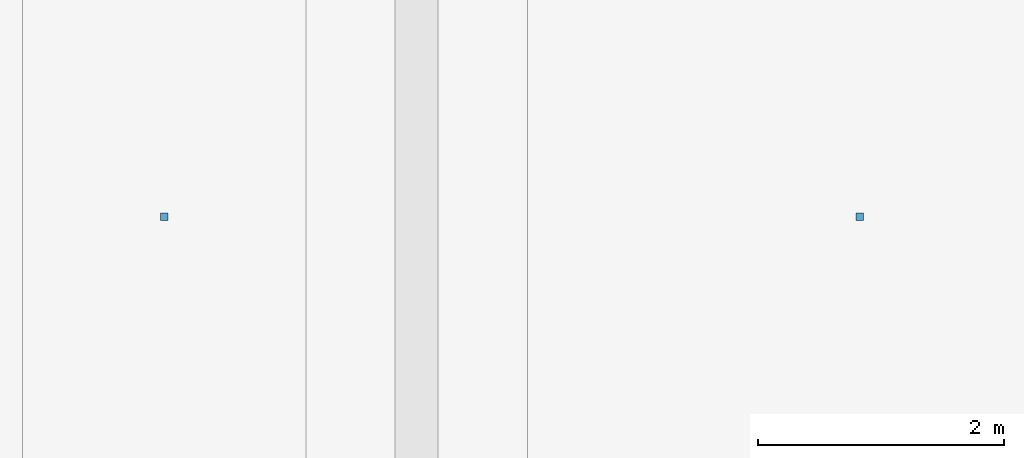
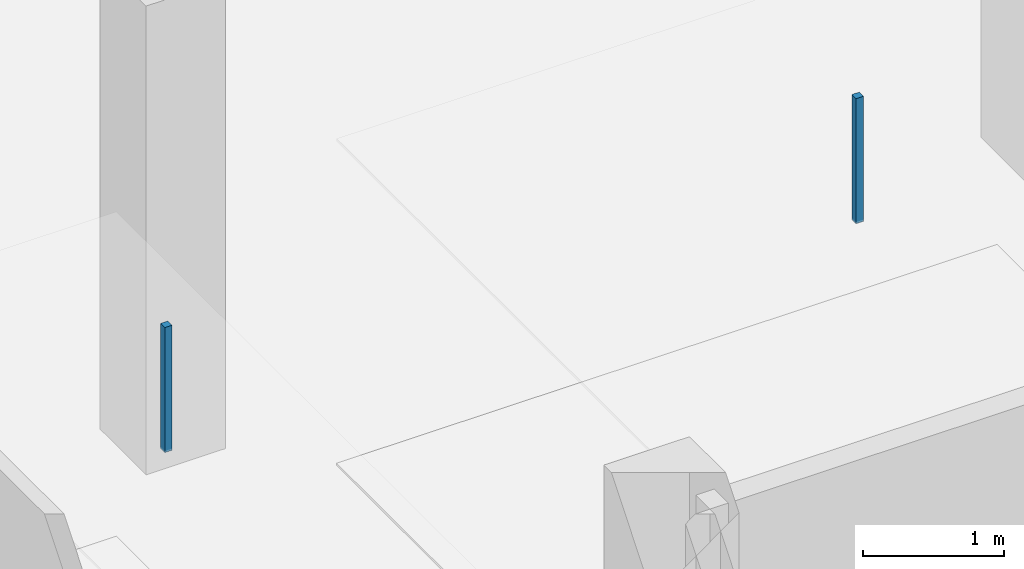
# One storey, part 86 of 91: 2 discrete accessories.
"""IFC4 building model written with IfcOpenShell, lengths in metres."""

from ifc_helpers import new_model, si_unit, direction, frame, origin, origin_2d, place, context, subcontext, project, spatial, rectangle, extrude, material, type_object, element, save


model = new_model("IFC4")

# Units and contexts
model_context = context("Model", 3, precision=1e-05, world=origin(), true_north=direction((0.0, 1.0)))
body_context = subcontext(model_context, "Body", "Model", "MODEL_VIEW")
ifc_project = project(units=[si_unit("LENGTHUNIT", "METRE"), si_unit("AREAUNIT", "SQUARE_METRE"), si_unit("VOLUMEUNIT", "CUBIC_METRE"), si_unit("PLANEANGLEUNIT", "RADIAN"), si_unit("MASSUNIT", "GRAM", prefix="KILO")], contexts=[model_context])

# Site, building, storey
site_placement = place(None, origin())
site = spatial("IfcSite", under=ifc_project, at=site_placement, CompositionType="ELEMENT")
building_placement = place(site_placement, origin())
building = spatial("IfcBuilding", under=site, at=building_placement, Name="Kangsadwip Square Police Headquarters", CompositionType="ELEMENT")
storey_placement = place(building_placement, frame((0.0, 0.0, 13.5)))
storey = spatial("IfcBuildingStorey", under=building, at=storey_placement, Name="L03", CompositionType="ELEMENT", Elevation=13.5)

# Discrete accessories
ifc_material = material(Name="Structural steel IS 2062 E350 (Grade 350, 350 MPa)", Category="steel")
discrete_accessory_type = type_object("IfcDiscreteAccessoryType", Name="VeilOutriggerBracket", PredefinedType="BRACKET", material=ifc_material)
for number, where, z_axis, x_axis, name in (
    (1, (149.14990234375, 104.39990234375, 2.81005859375), (0.0, 0.0, 1.0), (1.0, 0.0, 0.0), "Ceiling Suspension Hanger L03-094"),
    (2, (154.800048828125, 104.39990234375, 2.81005859375), (0.0, 0.0, 1.0), (1.0, 0.0, 0.0), "Ceiling Suspension Hanger L03-095"),
):
    element("IfcDiscreteAccessory", number, at=place(storey_placement, frame(where, z_axis=z_axis, x_axis=x_axis)), inside=storey, type_object=discrete_accessory_type, Name=name, PredefinedType="BRACKET", context=body_context, shape_type="SweptSolid", body=[
        extrude(rectangle(XDim=0.06005859375, YDim=0.06005859375, at=origin_2d()), origin(), (0.0, 0.0, 1.0), 1.080078125),
    ])

save(model, "model.ifc")
